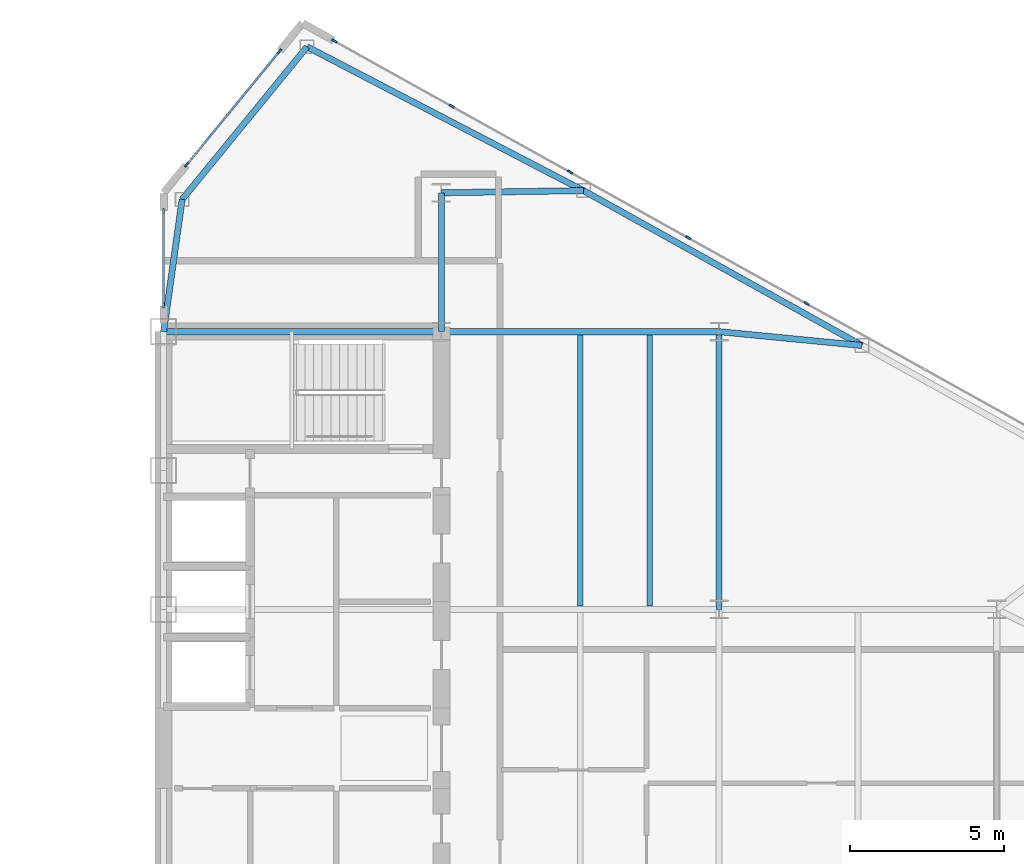
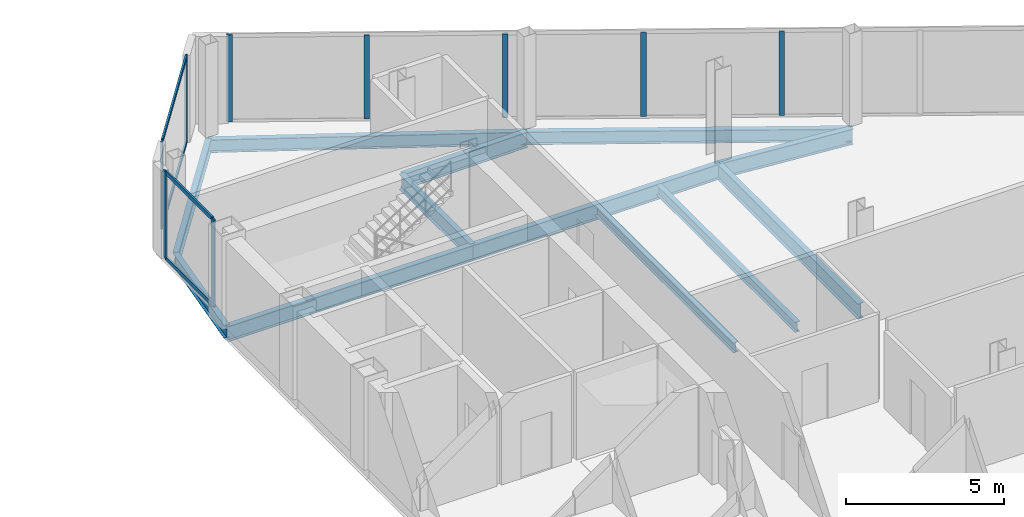
# One storey, part 15 of 26: 13 members, 12 beams, 3 elements without a shape of their own.
"""IFC4 building model written with IfcOpenShell, lengths in metres."""

from ifc_helpers import new_model, si_unit, direction, frame, origin, origin_2d, place, context, subcontext, project, spatial, rectangle, i_section, extrude, source, transform, mapped, material, layer, layer_set, material_profile, profile_set, type_object, type_shapes, element, aggregate, save


model = new_model("IFC4")

# Units and contexts
model_context = context("Model", 3, precision=1e-05, world=origin(), true_north=direction((0.0, 1.0)))
body_context = subcontext(model_context, "Body", "Model", "MODEL_VIEW")
ifc_project = project(units=[si_unit("LENGTHUNIT", "METRE"), si_unit("AREAUNIT", "SQUARE_METRE"), si_unit("VOLUMEUNIT", "CUBIC_METRE"), si_unit("PLANEANGLEUNIT", "RADIAN"), si_unit("MASSUNIT", "GRAM", prefix="KILO")], contexts=[model_context])

# Site, building, storey
site_placement = place(None, origin())
site = spatial("IfcSite", under=ifc_project, at=site_placement, CompositionType="ELEMENT")
building_placement = place(site_placement, origin())
building = spatial("IfcBuilding", under=site, at=building_placement, Name="Seokmaru Belvedere", CompositionType="ELEMENT")
storey_placement = place(building_placement, frame((0.0, 0.0, 192.300048828125)))
storey = spatial("IfcBuildingStorey", under=building, at=storey_placement, Name="L51", CompositionType="ELEMENT", Elevation=192.300048828125)

# Beams
ifc_material_1 = material(Name="Steel SM355 (355 MPa)", Category="steel")
ifc_material_profile_1 = material_profile(ifc_material_1, i_section(OverallWidth=0.199951171875, OverallDepth=0.60009765625, WebThickness=0.010986328125, FlangeThickness=0.01708984375, at=origin_2d()), Name="H-600x200x11x17")
ifc_profile_set_1 = profile_set([ifc_material_profile_1], Name="Steel SM355 (355 MPa)")
beam_type_1 = type_object("IfcBeamType", Name="Primary Floor Girder H-600", PredefinedType="BEAM", material=ifc_profile_set_1)
shared_shape_1 = source(origin(), body_context, "Body", "SweptSolid", [
    extrude(i_section(OverallWidth=0.199951171875, OverallDepth=0.60009765625, WebThickness=0.010986328125, FlangeThickness=0.01708984375, at=origin_2d()), origin(), (0.0, 0.0, 1.0), 9.0),
])
for number, where, z_axis, x_axis, name in (
    (1, (45.5, 4.5, -0.52001953125), (0.0, 1.0, 0.0), (-1.0, 0.0, 0.0), "L51 E Interior Grid Girder 3"),
    (2, (27.5, 13.5, -0.52001953125), (1.0, 0.0, 0.0), (0.0, 1.0, 0.0), "L51 E Core Tie Girder 4"),
    (3, (36.5, 13.5, -0.52001953125), (1.0, 0.0, 0.0), (0.0, 1.0, 0.0), "L51 E Wing Primary Girder 4"),
):
    element("IfcBeam", number, at=place(storey_placement, frame(where, z_axis=z_axis, x_axis=x_axis)), inside=storey, type_object=beam_type_1, Name=name, PredefinedType="BEAM", context=body_context, shape_type="MappedRepresentation", body=[
        mapped(shared_shape_1, transform((0.0, 0.0, 0.0), scale=1.0)),
    ])
ifc_material_profile_2 = material_profile(ifc_material_1, i_section(OverallWidth=0.18505859375, OverallDepth=0.389892578125, WebThickness=0.008056640625, FlangeThickness=0.011962890625, at=origin_2d()), Name="H-390x185x8x12")
ifc_profile_set_2 = profile_set([ifc_material_profile_2], Name="Steel SM355 (355 MPa)")
beam_type_2 = type_object("IfcBeamType", Name="Secondary Floor Joist H-350", PredefinedType="JOIST", material=ifc_profile_set_2)
shared_shape_2 = source(origin(), body_context, "Body", "SweptSolid", [
    extrude(i_section(OverallWidth=0.18505859375, OverallDepth=0.389892578125, WebThickness=0.008056640625, FlangeThickness=0.011962890625, at=origin_2d()), origin(), (0.0, 0.0, 1.0), 8.7900390625),
])
type_shapes(beam_type_2, [shared_shape_2])
for number, where, z_axis, x_axis, name in (
    (4, (43.25, 4.60498046875, -0.4150390625), (0.0, 1.0, 0.0), (-1.0, 0.0, 0.0), "L51 E Wing Inner Secondary Joist 2"),
    (5, (41.0, 4.60498046875, -0.4150390625), (0.0, 1.0, 0.0), (-1.0, 0.0, 0.0), "L51 E Secondary Floor Joist 3"),
):
    element("IfcBeam", number, at=place(storey_placement, frame(where, z_axis=z_axis, x_axis=x_axis)), inside=storey, type_object=beam_type_2, Name=name, PredefinedType="JOIST", context=body_context, shape_type="MappedRepresentation", body=[
        mapped(shared_shape_2, transform((0.0, 0.0, 0.0), scale=1.0)),
    ])
shared_shape_3 = source(origin(), body_context, "Body", "SweptSolid", [
    extrude(i_section(OverallWidth=0.199951171875, OverallDepth=0.60009765625, WebThickness=0.010986328125, FlangeThickness=0.01708984375, at=origin_2d()), origin(), (0.0, 0.0, 1.0), 4.5),
])
beam_1_placement = place(storey_placement, frame((36.5, 13.5, -0.52001953125), z_axis=(0.0, 1.0, 0.0), x_axis=(-1.0, 0.0, 0.0)))
element("IfcBeam", 6, at=beam_1_placement, inside=storey, type_object=beam_type_1, Name="L51 E Core Shoulder Girder N", PredefinedType="BEAM", context=body_context, shape_type="MappedRepresentation", body=[
    mapped(shared_shape_3, transform((0.0, 0.0, 0.0), scale=1.0)),
])
ifc_material_profile_3 = material_profile(ifc_material_1, i_section(OverallWidth=0.199951171875, OverallDepth=0.5, WebThickness=0.010009765625, FlangeThickness=0.01611328125, at=origin_2d()), Name="H-500x200x10x16")
ifc_profile_set_3 = profile_set([ifc_material_profile_3], Name="Steel SM355 (355 MPa)")
beam_type_3 = type_object("IfcBeamType", Name="Perimeter Spandrel Beam H-500", PredefinedType="SPANDREL", material=ifc_profile_set_3)
shared_shape_4 = source(origin(), body_context, "Body", "SweptSolid", [
    extrude(i_section(OverallWidth=0.199951171875, OverallDepth=0.5, WebThickness=0.010009765625, FlangeThickness=0.01611328125, at=origin_2d()), origin(), (0.0, 0.0, 1.0), 10.09716796875),
])
beam_2_placement = place(storey_placement, frame((32.146728515625, 22.731689453125, -0.469970703125), z_axis=(0.887085728914, -0.461604711369, 0.0), x_axis=(0.461604711369, 0.887085728914, 0.0)))
element("IfcBeam", 7, at=beam_2_placement, inside=storey, type_object=beam_type_3, Name="L51 E Faceted Flank Spandrel N-1", PredefinedType="SPANDREL", context=body_context, shape_type="MappedRepresentation", body=[
    mapped(shared_shape_4, transform((0.0, 0.0, 0.0), scale=1.0)),
])
shared_shape_5 = source(origin(), body_context, "Body", "SweptSolid", [
    extrude(i_section(OverallWidth=0.199951171875, OverallDepth=0.5, WebThickness=0.010009765625, FlangeThickness=0.01611328125, at=origin_2d()), origin(), (0.0, 0.0, 1.0), 10.327392578125),
])
beam_3_placement = place(storey_placement, frame((41.103759765625, 18.07080078125, -0.469970703125), z_axis=(0.873924120588, -0.486062374037, 0.0), x_axis=(0.486062374037, 0.873924120588, 0.0)))
element("IfcBeam", 8, at=beam_3_placement, inside=storey, type_object=beam_type_3, Name="L51 E Faceted Flank Spandrel N-2", PredefinedType="SPANDREL", context=body_context, shape_type="MappedRepresentation", body=[
    mapped(shared_shape_5, transform((0.0, 0.0, 0.0), scale=1.0)),
])
shared_shape_6 = source(origin(), body_context, "Body", "SweptSolid", [
    extrude(i_section(OverallWidth=0.199951171875, OverallDepth=0.5, WebThickness=0.010009765625, FlangeThickness=0.01611328125, at=origin_2d()), origin(), (0.0, 0.0, 1.0), 6.390380859375),
])
beam_4_placement = place(storey_placement, frame((32.146728515625, 22.731689453125, -0.469970703125), z_axis=(-0.63324403161, -0.7739521926, 0.0), x_axis=(0.7739521926, -0.63324403161, 0.0)))
element("IfcBeam", 9, at=beam_4_placement, inside=storey, type_object=beam_type_3, Name="L51 E Shoulder Chamfer Spandrel N", PredefinedType="SPANDREL", context=body_context, shape_type="MappedRepresentation", body=[
    mapped(shared_shape_6, transform((0.0, 0.0, 0.0), scale=1.0)),
])
shared_shape_7 = source(origin(), body_context, "Body", "SweptSolid", [
    extrude(i_section(OverallWidth=0.199951171875, OverallDepth=0.5, WebThickness=0.010009765625, FlangeThickness=0.01611328125, at=origin_2d()), origin(), (0.0, 0.0, 1.0), 4.32763671875),
])
type_shapes(beam_type_3, [shared_shape_4, shared_shape_5, shared_shape_6, shared_shape_7])
beam_5_placement = place(storey_placement, frame((28.10009765625, 17.785888671875, -0.469970703125), z_axis=(-0.138664443237, -0.990339422714, 0.0), x_axis=(0.990339422714, -0.138664443237, 0.0)))
element("IfcBeam", 10, at=beam_5_placement, inside=storey, type_object=beam_type_3, Name="L51 E Shoulder Spine Spandrel N", PredefinedType="SPANDREL", context=body_context, shape_type="MappedRepresentation", body=[
    mapped(shared_shape_7, transform((0.0, 0.0, 0.0), scale=1.0)),
])
shared_shape_8 = source(origin(), body_context, "Body", "SweptSolid", [
    extrude(i_section(OverallWidth=0.199951171875, OverallDepth=0.60009765625, WebThickness=0.010986328125, FlangeThickness=0.01708984375, at=origin_2d()), origin(), (0.0, 0.0, 1.0), 4.604248046875),
])
beam_6_placement = place(storey_placement, frame((41.103759765625, 18.07080078125, -0.52001953125), z_axis=(-0.999881765622, -0.01537708607, 0.0), x_axis=(0.01537708607, -0.999881765622, 0.0)))
element("IfcBeam", 11, at=beam_6_placement, inside=storey, type_object=beam_type_1, Name="L51 E Flank Radial Floor Girder N-1", PredefinedType="BEAM", context=body_context, shape_type="MappedRepresentation", body=[
    mapped(shared_shape_8, transform((0.0, 0.0, 0.0), scale=1.0)),
])
shared_shape_9 = source(origin(), body_context, "Body", "SweptSolid", [
    extrude(i_section(OverallWidth=0.199951171875, OverallDepth=0.60009765625, WebThickness=0.010986328125, FlangeThickness=0.01708984375, at=origin_2d()), origin(), (0.0, 0.0, 1.0), 4.65087890625),
])
type_shapes(beam_type_1, [shared_shape_1, shared_shape_3, shared_shape_8, shared_shape_9])
beam_7_placement = place(storey_placement, frame((50.129150390625, 13.051025390625, -0.52001953125), z_axis=(-0.995329534874, 0.09653557379, 0.0), x_axis=(-0.09653557379, -0.995329534874, 0.0)))
element("IfcBeam", 12, at=beam_7_placement, inside=storey, type_object=beam_type_1, Name="L51 E Flank Radial Floor Girder N-2", PredefinedType="BEAM", context=body_context, shape_type="MappedRepresentation", body=[
    mapped(shared_shape_9, transform((0.0, 0.0, 0.0), scale=1.0)),
])

# Curtain wall, members
ifc_material_2 = material(Name="Bronze Triple Insulating Glass", Category="glass")
ifc_layer = layer(ifc_material_2, 0.179931640625)
ifc_layer_set = layer_set([ifc_layer], Name="Bronze Triple Insulating Glass")
curtain_wall_type = type_object("IfcCurtainWallType", Name="High-Rise Wind-Corner Curtain Wall System CW-5", PredefinedType="NOTDEFINED", material=ifc_layer_set)
curtain_wall_1_placement = place(storey_placement, origin())
curtain_wall_1 = element("IfcCurtainWall", 13, at=curtain_wall_1_placement, inside=storey, type_object=curtain_wall_type, Name="L51 Curtain Wall ESP_2", PredefinedType="NOTDEFINED")
ifc_material_3 = material(Name="Anodised Bronze Aluminium", Category="aluminium")
ifc_material_profile_4 = material_profile(ifc_material_3, rectangle(XDim=0.06494140625, YDim=0.14990234375, at=origin_2d()), Name="CW-T-65x150")
ifc_profile_set_4 = profile_set([ifc_material_profile_4], Name="Anodised Bronze Aluminium")
member_type_1 = type_object("IfcMemberType", Name="Bronze Unitised Transom 65x150", PredefinedType="USERDEFINED", material=ifc_profile_set_4)
shared_shape_10 = source(origin(), body_context, "Body", "SweptSolid", [
    extrude(rectangle(XDim=0.06494140625, YDim=0.14990234375, at=origin_2d()), origin(), (0.0, 0.0, 1.0), 2.969970703125),
])
member_1_placement = place(storey_placement, frame((27.5, 17.364990234375, 0.032470703125), z_axis=(0.0, -1.0, 0.0), x_axis=(1.0, 0.0, 0.0)))
member_1 = element("IfcMember", 14, at=member_1_placement, type_object=member_type_1, Name="CW:L51:ESP_2 Continuous Transom 1", ObjectType="TRANSOM", PredefinedType="USERDEFINED", context=body_context, shape_type="MappedRepresentation", body=[
    mapped(shared_shape_10, transform((0.0, 0.0, 0.0), scale=1.0)),
])
member_2_placement = place(storey_placement, frame((27.5, 17.364990234375, 3.347412109375), z_axis=(0.0, -1.0, 0.0), x_axis=(1.0, 0.0, 0.0)))
member_2 = element("IfcMember", 15, at=member_2_placement, type_object=member_type_1, Name="CW:L51:ESP_2 Continuous Transom 2", ObjectType="TRANSOM", PredefinedType="USERDEFINED", context=body_context, shape_type="MappedRepresentation", body=[
    mapped(shared_shape_10, transform((0.0, 0.0, 0.0), scale=1.0)),
])

curtain_wall_2_placement = place(storey_placement, origin())
curtain_wall_2 = element("IfcCurtainWall", 16, at=curtain_wall_2_placement, inside=storey, type_object=curtain_wall_type, Name="L51 Curtain Wall EF4", PredefinedType="NOTDEFINED")
shared_shape_11 = source(origin(), body_context, "Body", "SweptSolid", [
    extrude(rectangle(XDim=0.06494140625, YDim=0.14990234375, at=origin_2d()), origin(), (0.0, 0.0, 1.0), 4.67626953125),
])
type_shapes(member_type_1, [shared_shape_10, shared_shape_11])
member_3_placement = place(storey_placement, frame((31.230712890625, 22.5595703125, 0.032470703125), z_axis=(-0.633277591216, -0.773924733074, 0.0), x_axis=(0.773924733074, -0.633277591216, 0.0)))
member_3 = element("IfcMember", 17, at=member_3_placement, type_object=member_type_1, Name="CW:L51:EF4 Continuous Transom 1", ObjectType="TRANSOM", PredefinedType="USERDEFINED", context=body_context, shape_type="MappedRepresentation", body=[
    mapped(shared_shape_11, transform((0.0, 0.0, 0.0), scale=1.0)),
])
member_4_placement = place(storey_placement, frame((31.230712890625, 22.5595703125, 3.347412109375), z_axis=(-0.633277591216, -0.773924733074, 0.0), x_axis=(0.773924733074, -0.633277591216, 0.0)))
member_4 = element("IfcMember", 18, at=member_4_placement, type_object=member_type_1, Name="CW:L51:EF4 Continuous Transom 2", ObjectType="TRANSOM", PredefinedType="USERDEFINED", context=body_context, shape_type="MappedRepresentation", body=[
    mapped(shared_shape_11, transform((0.0, 0.0, 0.0), scale=1.0)),
])

# Curtain wall, member
curtain_wall_3_placement = place(storey_placement, origin())
curtain_wall_3 = element("IfcCurtainWall", 19, at=curtain_wall_3_placement, inside=storey, type_object=curtain_wall_type, Name="L51 Curtain Wall EF3", PredefinedType="NOTDEFINED")
ifc_material_profile_5 = material_profile(ifc_material_3, rectangle(XDim=0.06494140625, YDim=0.179931640625, at=origin_2d()), Name="CW-M-65x180")
ifc_profile_set_5 = profile_set([ifc_material_profile_5], Name="Anodised Bronze Aluminium")
member_type_2 = type_object("IfcMemberType", Name="Bronze Unitised Mullion 65x180", PredefinedType="MULLION", material=ifc_profile_set_5)
shared_shape_12 = source(origin(), body_context, "Body", "SweptSolid", [
    extrude(rectangle(XDim=0.06494140625, YDim=0.179931640625, at=origin_2d()), origin(), (0.0, 0.0, 1.0), 3.3798828125),
])
member_5_placement = place(storey_placement, frame((33.033447265625, 22.92529296875, 0.0), z_axis=(0.0, 0.0, 1.0), x_axis=(-0.486047125147, -0.873932601598, 0.0)))
member_5 = element("IfcMember", 20, at=member_5_placement, type_object=member_type_2, Name="CW:L51:EF3 Mullion 10", PredefinedType="MULLION", context=body_context, shape_type="MappedRepresentation", body=[
    mapped(shared_shape_12, transform((0.0, 0.0, 0.0), scale=1.0)),
])

# Member
member_6_placement = place(storey_placement, frame((31.251220703125, 22.584716796875, 0.0), z_axis=(0.0, 0.0, 1.0), x_axis=(0.773944112379, -0.633253907144, 0.0)))
member_6 = element("IfcMember", 21, at=member_6_placement, type_object=member_type_2, Name="CW:L51:EF4 Mullion 1", PredefinedType="MULLION", context=body_context, shape_type="MappedRepresentation", body=[
    mapped(shared_shape_12, transform((0.0, 0.0, 0.0), scale=1.0)),
])

member_7_placement = place(storey_placement, frame((28.248779296875, 18.915283203125, 0.0), z_axis=(0.0, 0.0, 1.0), x_axis=(0.773944112379, -0.633253907144, 0.0)))
member_7 = element("IfcMember", 22, at=member_7_placement, type_object=member_type_2, Name="CW:L51:EF4 Mullion 2", PredefinedType="MULLION", context=body_context, shape_type="MappedRepresentation", body=[
    mapped(shared_shape_12, transform((0.0, 0.0, 0.0), scale=1.0)),
])

aggregate(curtain_wall_2, [member_6, member_7, member_3, member_4])

member_8_placement = place(storey_placement, frame((27.5, 17.3974609375, 0.0), z_axis=(0.0, 0.0, 1.0), x_axis=(1.0, 0.0, 0.0)))
member_8 = element("IfcMember", 23, at=member_8_placement, type_object=member_type_2, Name="CW:L51:ESP_2 Mullion 1", PredefinedType="MULLION", context=body_context, shape_type="MappedRepresentation", body=[
    mapped(shared_shape_12, transform((0.0, 0.0, 0.0), scale=1.0)),
])

member_9_placement = place(storey_placement, frame((27.5, 14.362548828125, 0.0), z_axis=(0.0, 0.0, 1.0), x_axis=(1.0, 0.0, 0.0)))
member_9 = element("IfcMember", 24, at=member_9_placement, type_object=member_type_2, Name="CW:L51:ESP_2 Mullion 2", PredefinedType="MULLION", context=body_context, shape_type="MappedRepresentation", body=[
    mapped(shared_shape_12, transform((0.0, 0.0, 0.0), scale=1.0)),
])

aggregate(curtain_wall_1, [member_8, member_9, member_1, member_2])

shared_shape_13 = source(origin(), body_context, "Body", "SweptSolid", [
    extrude(rectangle(XDim=0.06494140625, YDim=0.179931640625, at=origin_2d()), origin(), (0.0, 0.0, 1.0), 3.25),
])
type_shapes(member_type_2, [shared_shape_12, shared_shape_13])
member_10_placement = place(storey_placement, frame((48.333984375, 14.415771484375, 0.06494140625), z_axis=(0.0, 0.0, 1.0), x_axis=(-0.486047125147, -0.873932601598, 0.0)))
member_10 = element("IfcMember", 25, at=member_10_placement, type_object=member_type_2, Name="CW:L51:EF3 Mullion 6", PredefinedType="MULLION", context=body_context, shape_type="MappedRepresentation", body=[
    mapped(shared_shape_13, transform((0.0, 0.0, 0.0), scale=1.0)),
])

member_11_placement = place(storey_placement, frame((44.501708984375, 16.547119140625, 0.06494140625), z_axis=(0.0, 0.0, 1.0), x_axis=(-0.486047125147, -0.873932601598, 0.0)))
member_11 = element("IfcMember", 26, at=member_11_placement, type_object=member_type_2, Name="CW:L51:EF3 Mullion 7", PredefinedType="MULLION", context=body_context, shape_type="MappedRepresentation", body=[
    mapped(shared_shape_13, transform((0.0, 0.0, 0.0), scale=1.0)),
])

member_12_placement = place(storey_placement, frame((40.66943359375, 18.67822265625, 0.06494140625), z_axis=(0.0, 0.0, 1.0), x_axis=(-0.486047125147, -0.873932601598, 0.0)))
member_12 = element("IfcMember", 27, at=member_12_placement, type_object=member_type_2, Name="CW:L51:EF3 Mullion 8", PredefinedType="MULLION", context=body_context, shape_type="MappedRepresentation", body=[
    mapped(shared_shape_13, transform((0.0, 0.0, 0.0), scale=1.0)),
])

member_13_placement = place(storey_placement, frame((36.837158203125, 20.809814453125, 0.06494140625), z_axis=(0.0, 0.0, 1.0), x_axis=(-0.486047125147, -0.873932601598, 0.0)))
member_13 = element("IfcMember", 28, at=member_13_placement, type_object=member_type_2, Name="CW:L51:EF3 Mullion 9", PredefinedType="MULLION", context=body_context, shape_type="MappedRepresentation", body=[
    mapped(shared_shape_13, transform((0.0, 0.0, 0.0), scale=1.0)),
])

aggregate(curtain_wall_3, [member_10, member_11, member_12, member_13, member_5])

save(model, "model.ifc")
